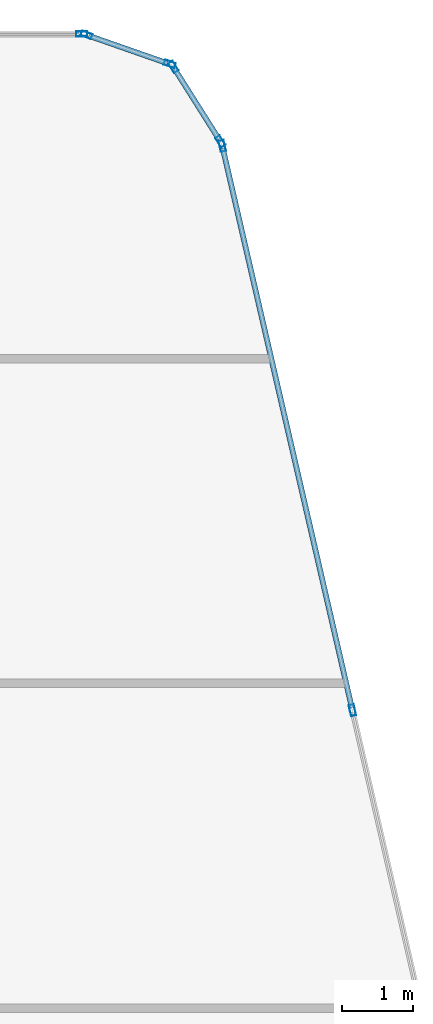
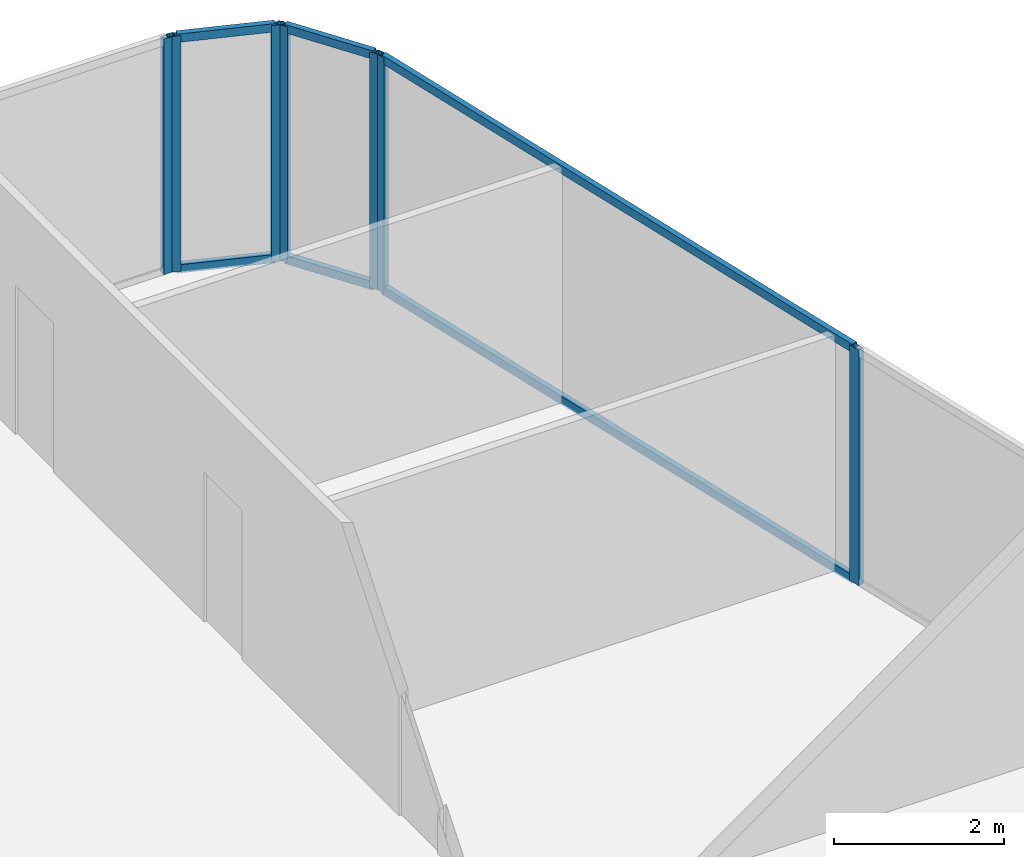
# One storey, part 19 of 27: 13 members, 4 elements without a shape of their own.
"""IFC4 building model written with IfcOpenShell, lengths in metres."""

from ifc_helpers import new_model, si_unit, direction, frame, origin, origin_2d, place, context, subcontext, project, spatial, hollow_rectangle, extrude, material, layer, layer_set, material_profile, profile_set, type_object, element, aggregate, save


model = new_model("IFC4")

# Units and contexts
model_context = context("Model", 3, precision=1e-05, world=origin(), true_north=direction((0.0, 1.0)))
body_context = subcontext(model_context, "Body", "Model", "MODEL_VIEW")
ifc_project = project(units=[si_unit("LENGTHUNIT", "METRE"), si_unit("AREAUNIT", "SQUARE_METRE"), si_unit("VOLUMEUNIT", "CUBIC_METRE"), si_unit("PLANEANGLEUNIT", "RADIAN"), si_unit("MASSUNIT", "GRAM", prefix="KILO")], contexts=[model_context])

# Site, building, storey
site_placement = place(None, origin())
site = spatial("IfcSite", under=ifc_project, at=site_placement, CompositionType="ELEMENT")
building_placement = place(site_placement, origin())
building = spatial("IfcBuilding", under=site, at=building_placement, Name="Keshet Zoharim Tower", CompositionType="ELEMENT")
storey_placement = place(building_placement, frame((0.0, 0.0, 247.300048828125)))
storey = spatial("IfcBuildingStorey", under=building, at=storey_placement, Name="L61", CompositionType="ELEMENT", Elevation=247.300048828125)

# Curtain wall, member
ifc_material = material(Name="Aluminium 6063-T6", Category="aluminium")
ifc_layer = layer(ifc_material, 0.260009765625)
ifc_layer_set = layer_set([ifc_layer], Name="Aluminium 6063-T6")
curtain_wall_type = type_object("IfcCurtainWallType", Name="CW-SYS-06", PredefinedType="NOTDEFINED", material=ifc_layer_set)
curtain_wall_1_placement = place(storey_placement, origin())
curtain_wall_1 = element("IfcCurtainWall", 1, at=curtain_wall_1_placement, inside=storey, type_object=curtain_wall_type, Name="L61 Unitised Curtain Wall 06 Part 5", PredefinedType="NOTDEFINED")
ifc_material_profile_1 = material_profile(ifc_material, hollow_rectangle(XDim=0.074951171875, YDim=0.159912109375, WallThickness=0.00390625, at=origin_2d()), Name="MUL-75x160")
ifc_profile_set_1 = profile_set([ifc_material_profile_1], Name="Aluminium 6063-T6")
member_type_1 = type_object("IfcMemberType", Name="CWM-M15", PredefinedType="MULLION", material=ifc_profile_set_1)
member_1_placement = place(storey_placement, frame((37.3740234375, 53.89990234375, 0.0), z_axis=(0.0, 0.0, 1.0), x_axis=(0.0, 1.0, 0.0)))
member_1 = element("IfcMember", 2, at=member_1_placement, type_object=member_type_1, Name="CW-06 mullion 2", PredefinedType="MULLION", context=body_context, shape_type="SweptSolid", body=[
    extrude(hollow_rectangle(XDim=0.074951171875, YDim=0.159912109375, WallThickness=0.00390625, at=origin_2d()), origin(), (0.0, 0.0, 1.0), 3.389892578125),
])
aggregate(curtain_wall_1, [member_1])

# Curtain wall, members
curtain_wall_2_placement = place(storey_placement, origin())
curtain_wall_2 = element("IfcCurtainWall", 3, at=curtain_wall_2_placement, inside=storey, type_object=curtain_wall_type, Name="L61 Unitised Curtain Wall 07", PredefinedType="NOTDEFINED")
member_2_placement = place(storey_placement, frame((37.442138671875, 53.888427734375, 0.0), z_axis=(0.0, 0.0, 1.0), x_axis=(0.329843743636, 0.944035542119, 0.0)))
member_2 = element("IfcMember", 4, at=member_2_placement, type_object=member_type_1, Name="CW-06 mullion 1", PredefinedType="MULLION", context=body_context, shape_type="SweptSolid", body=[
    extrude(hollow_rectangle(XDim=0.074951171875, YDim=0.159912109375, WallThickness=0.00390625, at=origin_2d()), origin(), (0.0, 0.0, 1.0), 3.389892578125),
])
member_3_placement = place(storey_placement, frame((38.620849609375, 53.4765625, 0.0), z_axis=(0.0, 0.0, 1.0), x_axis=(0.329843743636, 0.944035542119, 0.0)))
member_3 = element("IfcMember", 5, at=member_3_placement, type_object=member_type_1, Name="CW-06 mullion 2", PredefinedType="MULLION", context=body_context, shape_type="SweptSolid", body=[
    extrude(hollow_rectangle(XDim=0.074951171875, YDim=0.159912109375, WallThickness=0.00390625, at=origin_2d()), origin(), (0.0, 0.0, 1.0), 3.389892578125),
])

curtain_wall_3_placement = place(storey_placement, origin())
curtain_wall_3 = element("IfcCurtainWall", 6, at=curtain_wall_3_placement, inside=storey, type_object=curtain_wall_type, Name="L61 Unitised Curtain Wall 08", PredefinedType="NOTDEFINED")
member_4_placement = place(storey_placement, frame((38.672607421875, 53.435302734375, 0.0), z_axis=(0.0, 0.0, 1.0), x_axis=(0.845560976183, 0.533878858502, 0.0)))
member_4 = element("IfcMember", 7, at=member_4_placement, type_object=member_type_1, Name="CW-06 mullion 1", PredefinedType="MULLION", context=body_context, shape_type="SweptSolid", body=[
    extrude(hollow_rectangle(XDim=0.074951171875, YDim=0.159912109375, WallThickness=0.00390625, at=origin_2d()), origin(), (0.0, 0.0, 1.0), 3.389892578125),
])
member_5_placement = place(storey_placement, frame((39.33935546875, 52.379638671875, 0.0), z_axis=(0.0, 0.0, 1.0), x_axis=(0.845560976183, 0.533878858502, 0.0)))
member_5 = element("IfcMember", 8, at=member_5_placement, type_object=member_type_1, Name="CW-06 mullion 2", PredefinedType="MULLION", context=body_context, shape_type="SweptSolid", body=[
    extrude(hollow_rectangle(XDim=0.074951171875, YDim=0.159912109375, WallThickness=0.00390625, at=origin_2d()), origin(), (0.0, 0.0, 1.0), 3.389892578125),
])

curtain_wall_4_placement = place(storey_placement, origin())
curtain_wall_4 = element("IfcCurtainWall", 9, at=curtain_wall_4_placement, inside=storey, type_object=curtain_wall_type, Name="L61 Unitised Curtain Wall 09", PredefinedType="NOTDEFINED")
member_6_placement = place(storey_placement, frame((39.365966796875, 52.31591796875, 0.0), z_axis=(0.0, 0.0, 1.0), x_axis=(0.974398012932, 0.224829963294, 0.0)))
member_6 = element("IfcMember", 10, at=member_6_placement, type_object=member_type_1, Name="CW-06 mullion 1", PredefinedType="MULLION", context=body_context, shape_type="SweptSolid", body=[
    extrude(hollow_rectangle(XDim=0.074951171875, YDim=0.159912109375, WallThickness=0.00390625, at=origin_2d()), origin(), (0.0, 0.0, 1.0), 3.389892578125),
])
member_7_placement = place(storey_placement, frame((41.210693359375, 44.320556640625, 0.0), z_axis=(0.0, 0.0, 1.0), x_axis=(0.974398012932, 0.224829963294, 0.0)))
member_7 = element("IfcMember", 11, at=member_7_placement, type_object=member_type_1, Name="CW-06 mullion 2", PredefinedType="MULLION", context=body_context, shape_type="SweptSolid", body=[
    extrude(hollow_rectangle(XDim=0.074951171875, YDim=0.159912109375, WallThickness=0.00390625, at=origin_2d()), origin(), (0.0, 0.0, 1.0), 3.389892578125),
])

# Member
ifc_material_profile_2 = material_profile(ifc_material, hollow_rectangle(XDim=0.074951171875, YDim=0.1201171875, WallThickness=0.00390625, at=origin_2d()), Name="TRN-75x120")
ifc_profile_set_2 = profile_set([ifc_material_profile_2], Name="Aluminium 6063-T6")
member_type_2 = type_object("IfcMemberType", Name="CWT-T12", PredefinedType="USERDEFINED", material=ifc_profile_set_2)
member_8_placement = place(storey_placement, frame((37.47509765625, 53.876953125, 0.034912109375), z_axis=(0.944006789648, -0.329926023675, 0.0), x_axis=(0.329926023675, 0.944006789648, 0.0)))
member_8 = element("IfcMember", 12, at=member_8_placement, type_object=member_type_2, Name="CW-06 transom 1.1", ObjectType="TRANSOM", PredefinedType="USERDEFINED", context=body_context, shape_type="SweptSolid", body=[
    extrude(hollow_rectangle(XDim=0.074951171875, YDim=0.1201171875, WallThickness=0.00390625, at=origin_2d()), origin(), (0.0, 0.0, 1.0), 1.1787109375),
])

member_9_placement = place(storey_placement, frame((37.47509765625, 53.876953125, 3.35498046875), z_axis=(0.944006789648, -0.329926023675, 0.0), x_axis=(0.329926023675, 0.944006789648, 0.0)))
member_9 = element("IfcMember", 13, at=member_9_placement, type_object=member_type_2, Name="CW-06 transom 1.2", ObjectType="TRANSOM", PredefinedType="USERDEFINED", context=body_context, shape_type="SweptSolid", body=[
    extrude(hollow_rectangle(XDim=0.074951171875, YDim=0.1201171875, WallThickness=0.00390625, at=origin_2d()), origin(), (0.0, 0.0, 1.0), 1.1787109375),
])

aggregate(curtain_wall_2, [member_2, member_3, member_8, member_9])

member_10_placement = place(storey_placement, frame((38.69140625, 53.40576171875, 0.034912109375), z_axis=(0.53382931122, -0.845592257819, 0.0), x_axis=(0.845592257819, 0.53382931122, 0.0)))
member_10 = element("IfcMember", 14, at=member_10_placement, type_object=member_type_2, Name="CW-06 transom 1.1", ObjectType="TRANSOM", PredefinedType="USERDEFINED", context=body_context, shape_type="SweptSolid", body=[
    extrude(hollow_rectangle(XDim=0.074951171875, YDim=0.1201171875, WallThickness=0.00390625, at=origin_2d()), origin(), (0.0, 0.0, 1.0), 1.178466796875),
])

member_11_placement = place(storey_placement, frame((38.69140625, 53.40576171875, 3.35498046875), z_axis=(0.53382931122, -0.845592257819, 0.0), x_axis=(0.845592257819, 0.53382931122, 0.0)))
member_11 = element("IfcMember", 15, at=member_11_placement, type_object=member_type_2, Name="CW-06 transom 1.2", ObjectType="TRANSOM", PredefinedType="USERDEFINED", context=body_context, shape_type="SweptSolid", body=[
    extrude(hollow_rectangle(XDim=0.074951171875, YDim=0.1201171875, WallThickness=0.00390625, at=origin_2d()), origin(), (0.0, 0.0, 1.0), 1.178466796875),
])

aggregate(curtain_wall_3, [member_4, member_5, member_10, member_11])

member_12_placement = place(storey_placement, frame((39.373779296875, 52.28173828125, 0.034912109375), z_axis=(0.224835397421, -0.97439675906, 0.0), x_axis=(0.97439675906, 0.224835397421, 0.0)))
member_12 = element("IfcMember", 16, at=member_12_placement, type_object=member_type_2, Name="CW-06 transom 1.1", ObjectType="TRANSOM", PredefinedType="USERDEFINED", context=body_context, shape_type="SweptSolid", body=[
    extrude(hollow_rectangle(XDim=0.074951171875, YDim=0.1201171875, WallThickness=0.00390625, at=origin_2d()), origin(), (0.0, 0.0, 1.0), 8.13525390625),
])

member_13_placement = place(storey_placement, frame((39.373779296875, 52.28173828125, 3.35498046875), z_axis=(0.224835397421, -0.97439675906, 0.0), x_axis=(0.97439675906, 0.224835397421, 0.0)))
member_13 = element("IfcMember", 17, at=member_13_placement, type_object=member_type_2, Name="CW-06 transom 1.2", ObjectType="TRANSOM", PredefinedType="USERDEFINED", context=body_context, shape_type="SweptSolid", body=[
    extrude(hollow_rectangle(XDim=0.074951171875, YDim=0.1201171875, WallThickness=0.00390625, at=origin_2d()), origin(), (0.0, 0.0, 1.0), 8.13525390625),
])

aggregate(curtain_wall_4, [member_6, member_7, member_12, member_13])

save(model, "model.ifc")
